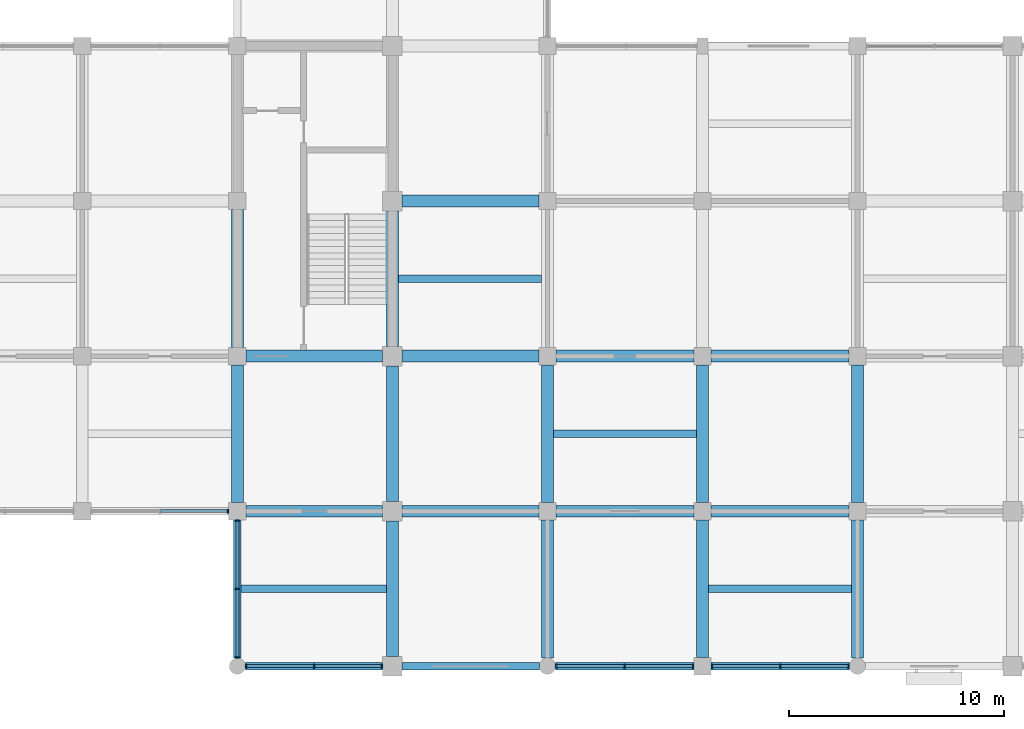
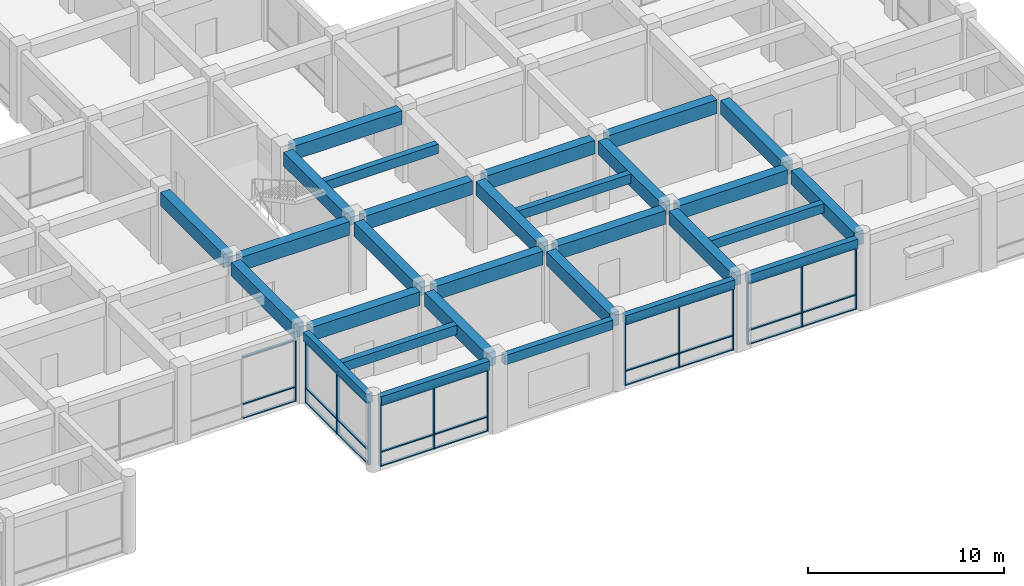
# One storey, part 30 of 75: 40 members, 29 beams, 5 elements without a shape of their own.
"""IFC4 building model written with IfcOpenShell, lengths in metres."""

from ifc_helpers import new_model, si_unit, direction, frame, origin, origin_2d, place, context, subcontext, project, spatial, rectangle, extrude, material, layer, layer_set, material_profile, profile_set, type_object, element, aggregate, save


model = new_model("IFC4")

# Units and contexts
model_context = context("Model", 3, precision=1e-05, world=origin(), true_north=direction((0.0, 1.0)))
body_context = subcontext(model_context, "Body", "Model", "MODEL_VIEW")
ifc_project = project(units=[si_unit("LENGTHUNIT", "METRE"), si_unit("AREAUNIT", "SQUARE_METRE"), si_unit("VOLUMEUNIT", "CUBIC_METRE"), si_unit("PLANEANGLEUNIT", "RADIAN"), si_unit("MASSUNIT", "GRAM", prefix="KILO")], contexts=[model_context])

# Site, building, storey
site_placement = place(None, origin())
site = spatial("IfcSite", under=ifc_project, at=site_placement, CompositionType="ELEMENT")
building_placement = place(site_placement, origin())
building = spatial("IfcBuilding", under=site, at=building_placement, Name="Cendaluz Park School", CompositionType="ELEMENT")
storey_placement = place(building_placement, frame((0.0, 0.0, 4.800048828125)))
storey = spatial("IfcBuildingStorey", under=building, at=storey_placement, Name="L01", CompositionType="ELEMENT", Elevation=4.800048828125)

# Beams
ifc_material_1 = material(Name="Concrete C40/50", Category="concrete")
ifc_material_profile_1 = material_profile(ifc_material_1, rectangle(XDim=0.550048828125, YDim=0.85009765625, at=origin_2d()), Name="RC 550x850", Category="concrete")
ifc_profile_set_1 = profile_set([ifc_material_profile_1], Name="Concrete C40/50")
beam_type_1 = type_object("IfcBeamType", Name="BM-RC01", PredefinedType="BEAM", material=ifc_profile_set_1)
for number, where, z_axis, x_axis, name in (
    (1, (130.0, 7.199951171875, 4.0048828125), (1.0, 0.0, 0.0), (0.0, 1.0, 0.0), "BM-L01-BMRC01-0158"),
    (2, (130.0, 14.39990234375, 4.0048828125), (1.0, 0.0, 0.0), (0.0, 1.0, 0.0), "BM-L01-BMRC01-0159"),
    (3, (137.25, 7.199951171875, 4.0048828125), (1.0, 0.0, 0.0), (0.0, 1.0, 0.0), "BM-L01-BMRC01-0174"),
    (4, (137.25, 14.39990234375, 4.0048828125), (1.0, 0.0, 0.0), (0.0, 1.0, 0.0), "BM-L01-BMRC01-0175"),
    (5, (137.25, 21.60009765625, 4.0048828125), (1.0, 0.0, 0.0), (0.0, 1.0, 0.0), "BM-L01-BMRC01-0176"),
):
    element("IfcBeam", number, at=place(storey_placement, frame(where, z_axis=z_axis, x_axis=x_axis)), inside=storey, type_object=beam_type_1, Name=name, PredefinedType="BEAM", context=body_context, shape_type="SweptSolid", body=[
        extrude(rectangle(XDim=0.550048828125, YDim=0.85009765625, at=origin_2d()), origin(), (0.0, 0.0, 1.0), 6.35009765625),
    ])
for number, where, z_axis, x_axis, name in (
    (6, (144.39990234375, 7.199951171875, 4.0048828125), (1.0, 0.0, 0.0), (0.0, 1.0, 0.0), "BM-L01-BMRC01-0185"),
    (7, (144.39990234375, 14.39990234375, 4.0048828125), (1.0, 0.0, 0.0), (0.0, 1.0, 0.0), "BM-L01-BMRC01-0186"),
):
    element("IfcBeam", number, at=place(storey_placement, frame(where, z_axis=z_axis, x_axis=x_axis)), inside=storey, type_object=beam_type_1, Name=name, PredefinedType="BEAM", context=body_context, shape_type="SweptSolid", body=[
        extrude(rectangle(XDim=0.550048828125, YDim=0.85009765625, at=origin_2d()), origin(), (0.0, 0.0, 1.0), 6.400146484375),
    ])
for number, where, z_axis, x_axis, name in (
    (8, (151.60009765625, 7.199951171875, 4.0048828125), (1.0, 0.0, 0.0), (0.0, 1.0, 0.0), "BM-L01-BMRC01-0194"),
    (9, (151.60009765625, 14.39990234375, 4.0048828125), (1.0, 0.0, 0.0), (0.0, 1.0, 0.0), "BM-L01-BMRC01-0195"),
    (10, (129.60009765625, 7.60009765625, 4.0048828125), (0.0, 1.0, 0.0), (-1.0, 0.0, 0.0), "BM-L01-BMRC01-0388"),
    (11, (129.60009765625, 14.800048828125, 4.0048828125), (0.0, 1.0, 0.0), (-1.0, 0.0, 0.0), "BM-L01-BMRC01-0389"),
):
    element("IfcBeam", number, at=place(storey_placement, frame(where, z_axis=z_axis, x_axis=x_axis)), inside=storey, type_object=beam_type_1, Name=name, PredefinedType="BEAM", context=body_context, shape_type="SweptSolid", body=[
        extrude(rectangle(XDim=0.550048828125, YDim=0.85009765625, at=origin_2d()), origin(), (0.0, 0.0, 1.0), 6.39990234375),
    ])
for number, where, z_axis, x_axis, name in (
    (12, (136.800048828125, 0.449951171875, 4.0048828125), (0.0, 1.0, 0.0), (-1.0, 0.0, 0.0), "BM-L01-BMRC01-0403"),
    (13, (136.800048828125, 7.64990234375, 4.0048828125), (0.0, 1.0, 0.0), (-1.0, 0.0, 0.0), "BM-L01-BMRC01-0404"),
):
    element("IfcBeam", number, at=place(storey_placement, frame(where, z_axis=z_axis, x_axis=x_axis)), inside=storey, type_object=beam_type_1, Name=name, PredefinedType="BEAM", context=body_context, shape_type="SweptSolid", body=[
        extrude(rectangle(XDim=0.550048828125, YDim=0.85009765625, at=origin_2d()), origin(), (0.0, 0.0, 1.0), 6.300048828125),
    ])
beam_1_placement = place(storey_placement, frame((136.800048828125, 14.85009765625, 4.0048828125), z_axis=(0.0, 1.0, 0.0), x_axis=(-1.0, 0.0, 0.0)))
element("IfcBeam", 14, at=beam_1_placement, inside=storey, type_object=beam_type_1, Name="BM-L01-BMRC01-0405", PredefinedType="BEAM", context=body_context, shape_type="SweptSolid", body=[
    extrude(rectangle(XDim=0.550048828125, YDim=0.85009765625, at=origin_2d()), origin(), (0.0, 0.0, 1.0), 6.2998046875),
])
beam_2_placement = place(storey_placement, frame((144.0, 0.375, 4.0048828125), z_axis=(0.0, 1.0, 0.0), x_axis=(-1.0, 0.0, 0.0)))
element("IfcBeam", 15, at=beam_2_placement, inside=storey, type_object=beam_type_1, Name="BM-L01-BMRC01-0419", PredefinedType="BEAM", context=body_context, shape_type="SweptSolid", body=[
    extrude(rectangle(XDim=0.550048828125, YDim=0.85009765625, at=origin_2d()), origin(), (0.0, 0.0, 1.0), 6.425048828125),
])
beam_3_placement = place(storey_placement, frame((144.0, 7.60009765625, 4.0048828125), z_axis=(0.0, 1.0, 0.0), x_axis=(-1.0, 0.0, 0.0)))
element("IfcBeam", 16, at=beam_3_placement, inside=storey, type_object=beam_type_1, Name="BM-L01-BMRC01-0420", PredefinedType="BEAM", context=body_context, shape_type="SweptSolid", body=[
    extrude(rectangle(XDim=0.550048828125, YDim=0.85009765625, at=origin_2d()), origin(), (0.0, 0.0, 1.0), 6.39990234375),
])
beam_4_placement = place(storey_placement, frame((151.199951171875, 0.39990234375, 4.0048828125), z_axis=(0.0, 1.0, 0.0), x_axis=(-1.0, 0.0, 0.0)))
element("IfcBeam", 17, at=beam_4_placement, inside=storey, type_object=beam_type_1, Name="BM-L01-BMRC01-0429", PredefinedType="BEAM", context=body_context, shape_type="SweptSolid", body=[
    extrude(rectangle(XDim=0.550048828125, YDim=0.85009765625, at=origin_2d()), origin(), (0.0, 0.0, 1.0), 6.400146484375),
])
beam_5_placement = place(storey_placement, frame((151.199951171875, 7.60009765625, 4.0048828125), z_axis=(0.0, 1.0, 0.0), x_axis=(-1.0, 0.0, 0.0)))
element("IfcBeam", 18, at=beam_5_placement, inside=storey, type_object=beam_type_1, Name="BM-L01-BMRC01-0430", PredefinedType="BEAM", context=body_context, shape_type="SweptSolid", body=[
    extrude(rectangle(XDim=0.550048828125, YDim=0.85009765625, at=origin_2d()), origin(), (0.0, 0.0, 1.0), 6.39990234375),
])
beam_6_placement = place(storey_placement, frame((158.39990234375, 0.375, 4.0048828125), z_axis=(0.0, 1.0, 0.0), x_axis=(-1.0, 0.0, 0.0)))
element("IfcBeam", 19, at=beam_6_placement, inside=storey, type_object=beam_type_1, Name="BM-L01-BMRC01-0435", PredefinedType="BEAM", context=body_context, shape_type="SweptSolid", body=[
    extrude(rectangle(XDim=0.550048828125, YDim=0.85009765625, at=origin_2d()), origin(), (0.0, 0.0, 1.0), 6.425048828125),
])
beam_7_placement = place(storey_placement, frame((158.39990234375, 7.60009765625, 4.0048828125), z_axis=(0.0, 1.0, 0.0), x_axis=(-1.0, 0.0, 0.0)))
element("IfcBeam", 20, at=beam_7_placement, inside=storey, type_object=beam_type_1, Name="BM-L01-BMRC01-0436", PredefinedType="BEAM", context=body_context, shape_type="SweptSolid", body=[
    extrude(rectangle(XDim=0.550048828125, YDim=0.85009765625, at=origin_2d()), origin(), (0.0, 0.0, 1.0), 6.39990234375),
])
ifc_material_profile_2 = material_profile(ifc_material_1, rectangle(XDim=0.35009765625, YDim=0.580078125, at=origin_2d()), Name="RC 350x580", Category="concrete")
ifc_profile_set_2 = profile_set([ifc_material_profile_2], Name="Concrete C40/50")
beam_type_2 = type_object("IfcBeamType", Name="BM-RC04", PredefinedType="LINTEL", material=ifc_profile_set_2)
for number, where, z_axis, x_axis, name in (
    (21, (129.97509765625, 0.0, 4.139892578125), (1.0, 0.0, 0.0), (0.0, 1.0, 0.0), "BM-L01-BMRC04-0157"),
    (22, (137.25, 0.0, 4.139892578125), (1.0, 0.0, 0.0), (0.0, 1.0, 0.0), "BM-L01-BMRC04-0173"),
):
    element("IfcBeam", number, at=place(storey_placement, frame(where, z_axis=z_axis, x_axis=x_axis)), inside=storey, type_object=beam_type_2, Name=name, PredefinedType="LINTEL", context=body_context, shape_type="SweptSolid", body=[
        extrude(rectangle(XDim=0.35009765625, YDim=0.580078125, at=origin_2d()), origin(), (0.0, 0.0, 1.0), 6.375),
    ])
beam_8_placement = place(storey_placement, frame((144.375, 0.0, 4.139892578125), z_axis=(1.0, 0.0, 0.0), x_axis=(0.0, 1.0, 0.0)))
element("IfcBeam", 23, at=beam_8_placement, inside=storey, type_object=beam_type_2, Name="BM-L01-BMRC04-0184", PredefinedType="LINTEL", context=body_context, shape_type="SweptSolid", body=[
    extrude(rectangle(XDim=0.35009765625, YDim=0.580078125, at=origin_2d()), origin(), (0.0, 0.0, 1.0), 6.425048828125),
])
beam_9_placement = place(storey_placement, frame((151.60009765625, 0.0, 4.139892578125), z_axis=(1.0, 0.0, 0.0), x_axis=(0.0, 1.0, 0.0)))
element("IfcBeam", 24, at=beam_9_placement, inside=storey, type_object=beam_type_2, Name="BM-L01-BMRC04-0193", PredefinedType="LINTEL", context=body_context, shape_type="SweptSolid", body=[
    extrude(rectangle(XDim=0.35009765625, YDim=0.580078125, at=origin_2d()), origin(), (0.0, 0.0, 1.0), 6.4248046875),
])
beam_10_placement = place(storey_placement, frame((129.60009765625, 0.375, 4.139892578125), z_axis=(0.0, 1.0, 0.0), x_axis=(-1.0, 0.0, 0.0)))
element("IfcBeam", 25, at=beam_10_placement, inside=storey, type_object=beam_type_2, Name="BM-L01-BMRC04-0387", PredefinedType="LINTEL", context=body_context, shape_type="SweptSolid", body=[
    extrude(rectangle(XDim=0.35009765625, YDim=0.580078125, at=origin_2d()), origin(), (0.0, 0.0, 1.0), 6.425048828125),
])

# Curtain wall, member
ifc_material_2 = material(Name="Anodised Aluminium 6063-T6", Category="aluminium")
ifc_layer = layer(ifc_material_2, 0.179931640625)
ifc_layer_set = layer_set([ifc_layer], Name="Anodised Aluminium 6063-T6")
curtain_wall_type = type_object("IfcCurtainWallType", Name="CW-128x77", PredefinedType="NOTDEFINED", material=ifc_layer_set)
curtain_wall_1_placement = place(storey_placement, origin())
curtain_wall_1 = element("IfcCurtainWall", 26, at=curtain_wall_1_placement, inside=storey, type_object=curtain_wall_type, Name="CW-L01-056", PredefinedType="NOTDEFINED")
ifc_material_profile_3 = material_profile(ifc_material_2, rectangle(XDim=0.179931640625, YDim=0.070068359375, at=origin_2d()), Name="CWM 180x70", Category="aluminium")
ifc_profile_set_3 = profile_set([ifc_material_profile_3], Name="Anodised Aluminium 6063-T6")
member_type_1 = type_object("IfcMemberType", Name="CWM-01", PredefinedType="MULLION", material=ifc_profile_set_3)
member_1_placement = place(storey_placement, frame((129.1650390625, 7.199951171875, 0.0), z_axis=(0.0, 0.0, 1.0), x_axis=(0.0, 1.0, 0.0)))
member_1 = element("IfcMember", 27, at=member_1_placement, type_object=member_type_1, Name="CP-L01-0718", PredefinedType="MULLION", context=body_context, shape_type="SweptSolid", body=[
    extrude(rectangle(XDim=0.179931640625, YDim=0.070068359375, at=origin_2d()), origin(), (0.0, 0.0, 1.0), 3.849853515625),
])

# Curtain wall, members
curtain_wall_2_placement = place(storey_placement, origin())
curtain_wall_2 = element("IfcCurtainWall", 28, at=curtain_wall_2_placement, inside=storey, type_object=curtain_wall_type, Name="CW-L01-058", PredefinedType="NOTDEFINED")
member_2_placement = place(storey_placement, frame((130.010009765625, 0.0, 0.0), z_axis=(0.0, 0.0, 1.0), x_axis=(0.0, 1.0, 0.0)))
member_2 = element("IfcMember", 29, at=member_2_placement, type_object=member_type_1, Name="CP-L01-0742", PredefinedType="MULLION", context=body_context, shape_type="SweptSolid", body=[
    extrude(rectangle(XDim=0.179931640625, YDim=0.070068359375, at=origin_2d()), origin(), (0.0, 0.0, 1.0), 3.849853515625),
])
member_3_placement = place(storey_placement, frame((133.16259765625, 0.0, 0.0), z_axis=(0.0, 0.0, 1.0), x_axis=(0.0, 1.0, 0.0)))
member_3 = element("IfcMember", 30, at=member_3_placement, type_object=member_type_1, Name="CP-L01-0743", PredefinedType="MULLION", context=body_context, shape_type="SweptSolid", body=[
    extrude(rectangle(XDim=0.179931640625, YDim=0.070068359375, at=origin_2d()), origin(), (0.0, 0.0, 1.0), 3.849853515625),
])
member_4_placement = place(storey_placement, frame((136.31494140625, 0.0, 0.0), z_axis=(0.0, 0.0, 1.0), x_axis=(0.0, 1.0, 0.0)))
member_4 = element("IfcMember", 31, at=member_4_placement, type_object=member_type_1, Name="CP-L01-0744", PredefinedType="MULLION", context=body_context, shape_type="SweptSolid", body=[
    extrude(rectangle(XDim=0.179931640625, YDim=0.070068359375, at=origin_2d()), origin(), (0.0, 0.0, 1.0), 3.849853515625),
])

curtain_wall_3_placement = place(storey_placement, origin())
curtain_wall_3 = element("IfcCurtainWall", 32, at=curtain_wall_3_placement, inside=storey, type_object=curtain_wall_type, Name="CW-L01-059", PredefinedType="NOTDEFINED")
member_5_placement = place(storey_placement, frame((129.60009765625, 0.409912109375, 0.0), z_axis=(0.0, 0.0, 1.0), x_axis=(-1.0, 0.0, 0.0)))
member_5 = element("IfcMember", 33, at=member_5_placement, type_object=member_type_1, Name="CP-L01-0755", PredefinedType="MULLION", context=body_context, shape_type="SweptSolid", body=[
    extrude(rectangle(XDim=0.179931640625, YDim=0.070068359375, at=origin_2d()), origin(), (0.0, 0.0, 1.0), 3.849853515625),
])
member_6_placement = place(storey_placement, frame((129.60009765625, 3.58740234375, 0.0), z_axis=(0.0, 0.0, 1.0), x_axis=(-1.0, 0.0, 0.0)))
member_6 = element("IfcMember", 34, at=member_6_placement, type_object=member_type_1, Name="CP-L01-0756", PredefinedType="MULLION", context=body_context, shape_type="SweptSolid", body=[
    extrude(rectangle(XDim=0.179931640625, YDim=0.070068359375, at=origin_2d()), origin(), (0.0, 0.0, 1.0), 3.849853515625),
])
member_7_placement = place(storey_placement, frame((129.60009765625, 6.764892578125, 0.0), z_axis=(0.0, 0.0, 1.0), x_axis=(-1.0, 0.0, 0.0)))
member_7 = element("IfcMember", 35, at=member_7_placement, type_object=member_type_1, Name="CP-L01-0757", PredefinedType="MULLION", context=body_context, shape_type="SweptSolid", body=[
    extrude(rectangle(XDim=0.179931640625, YDim=0.070068359375, at=origin_2d()), origin(), (0.0, 0.0, 1.0), 3.849853515625),
])

curtain_wall_4_placement = place(storey_placement, origin())
curtain_wall_4 = element("IfcCurtainWall", 36, at=curtain_wall_4_placement, inside=storey, type_object=curtain_wall_type, Name="CW-L01-070", PredefinedType="NOTDEFINED")
member_8_placement = place(storey_placement, frame((144.409912109375, 0.0, 0.0), z_axis=(0.0, 0.0, 1.0), x_axis=(0.0, 1.0, 0.0)))
member_8 = element("IfcMember", 37, at=member_8_placement, type_object=member_type_1, Name="CP-L01-0898", PredefinedType="MULLION", context=body_context, shape_type="SweptSolid", body=[
    extrude(rectangle(XDim=0.179931640625, YDim=0.070068359375, at=origin_2d()), origin(), (0.0, 0.0, 1.0), 3.849853515625),
])
member_9_placement = place(storey_placement, frame((147.58740234375, 0.0, 0.0), z_axis=(0.0, 0.0, 1.0), x_axis=(0.0, 1.0, 0.0)))
member_9 = element("IfcMember", 38, at=member_9_placement, type_object=member_type_1, Name="CP-L01-0899", PredefinedType="MULLION", context=body_context, shape_type="SweptSolid", body=[
    extrude(rectangle(XDim=0.179931640625, YDim=0.070068359375, at=origin_2d()), origin(), (0.0, 0.0, 1.0), 3.849853515625),
])
member_10_placement = place(storey_placement, frame((150.764892578125, 0.0, 0.0), z_axis=(0.0, 0.0, 1.0), x_axis=(0.0, 1.0, 0.0)))
member_10 = element("IfcMember", 39, at=member_10_placement, type_object=member_type_1, Name="CP-L01-0900", PredefinedType="MULLION", context=body_context, shape_type="SweptSolid", body=[
    extrude(rectangle(XDim=0.179931640625, YDim=0.070068359375, at=origin_2d()), origin(), (0.0, 0.0, 1.0), 3.849853515625),
])

curtain_wall_5_placement = place(storey_placement, origin())
curtain_wall_5 = element("IfcCurtainWall", 40, at=curtain_wall_5_placement, inside=storey, type_object=curtain_wall_type, Name="CW-L01-073", PredefinedType="NOTDEFINED")
member_11_placement = place(storey_placement, frame((151.635009765625, 0.0, 0.0), z_axis=(0.0, 0.0, 1.0), x_axis=(0.0, 1.0, 0.0)))
member_11 = element("IfcMember", 41, at=member_11_placement, type_object=member_type_1, Name="CP-L01-0937", PredefinedType="MULLION", context=body_context, shape_type="SweptSolid", body=[
    extrude(rectangle(XDim=0.179931640625, YDim=0.070068359375, at=origin_2d()), origin(), (0.0, 0.0, 1.0), 3.849853515625),
])
member_12_placement = place(storey_placement, frame((154.8125, 0.0, 0.0), z_axis=(0.0, 0.0, 1.0), x_axis=(0.0, 1.0, 0.0)))
member_12 = element("IfcMember", 42, at=member_12_placement, type_object=member_type_1, Name="CP-L01-0938", PredefinedType="MULLION", context=body_context, shape_type="SweptSolid", body=[
    extrude(rectangle(XDim=0.179931640625, YDim=0.070068359375, at=origin_2d()), origin(), (0.0, 0.0, 1.0), 3.849853515625),
])
member_13_placement = place(storey_placement, frame((157.989990234375, 0.0, 0.0), z_axis=(0.0, 0.0, 1.0), x_axis=(0.0, 1.0, 0.0)))
member_13 = element("IfcMember", 43, at=member_13_placement, type_object=member_type_1, Name="CP-L01-0939", PredefinedType="MULLION", context=body_context, shape_type="SweptSolid", body=[
    extrude(rectangle(XDim=0.179931640625, YDim=0.070068359375, at=origin_2d()), origin(), (0.0, 0.0, 1.0), 3.849853515625),
])

# Member
ifc_material_profile_4 = material_profile(ifc_material_2, rectangle(XDim=0.139892578125, YDim=0.070068359375, at=origin_2d()), Name="CWT 140x70", Category="aluminium")
ifc_profile_set_4 = profile_set([ifc_material_profile_4], Name="Anodised Aluminium 6063-T6")
member_type_2 = type_object("IfcMemberType", Name="CWT-01", PredefinedType="USERDEFINED", material=ifc_profile_set_4)
member_14_placement = place(storey_placement, frame((126.034912109375, 7.199951171875, 0.034912109375), z_axis=(1.0, 0.0, 0.0), x_axis=(0.0, 1.0, 0.0)))
member_14 = element("IfcMember", 44, at=member_14_placement, type_object=member_type_2, Name="CP-L01-0724", ObjectType="TRANSOM", PredefinedType="USERDEFINED", context=body_context, shape_type="SweptSolid", body=[
    extrude(rectangle(XDim=0.139892578125, YDim=0.070068359375, at=origin_2d()), origin(), (0.0, 0.0, 1.0), 3.094970703125),
])

member_15_placement = place(storey_placement, frame((126.034912109375, 7.199951171875, 0.89990234375), z_axis=(1.0, 0.0, 0.0), x_axis=(0.0, 1.0, 0.0)))
member_15 = element("IfcMember", 45, at=member_15_placement, type_object=member_type_2, Name="CP-L01-0725", ObjectType="TRANSOM", PredefinedType="USERDEFINED", context=body_context, shape_type="SweptSolid", body=[
    extrude(rectangle(XDim=0.139892578125, YDim=0.070068359375, at=origin_2d()), origin(), (0.0, 0.0, 1.0), 3.094970703125),
])

member_16_placement = place(storey_placement, frame((126.034912109375, 7.199951171875, 3.81494140625), z_axis=(1.0, 0.0, 0.0), x_axis=(0.0, 1.0, 0.0)))
member_16 = element("IfcMember", 46, at=member_16_placement, type_object=member_type_2, Name="CP-L01-0726", ObjectType="TRANSOM", PredefinedType="USERDEFINED", context=body_context, shape_type="SweptSolid", body=[
    extrude(rectangle(XDim=0.139892578125, YDim=0.070068359375, at=origin_2d()), origin(), (0.0, 0.0, 1.0), 3.094970703125),
])

aggregate(curtain_wall_1, [member_1, member_14, member_15, member_16])

member_17_placement = place(storey_placement, frame((130.044921875, 0.0, 0.034912109375), z_axis=(1.0, 0.0, 0.0), x_axis=(0.0, 1.0, 0.0)))
member_17 = element("IfcMember", 47, at=member_17_placement, type_object=member_type_2, Name="CP-L01-0745", ObjectType="TRANSOM", PredefinedType="USERDEFINED", context=body_context, shape_type="SweptSolid", body=[
    extrude(rectangle(XDim=0.139892578125, YDim=0.070068359375, at=origin_2d()), origin(), (0.0, 0.0, 1.0), 3.08251953125),
])

member_18_placement = place(storey_placement, frame((130.044921875, 0.0, 0.89990234375), z_axis=(1.0, 0.0, 0.0), x_axis=(0.0, 1.0, 0.0)))
member_18 = element("IfcMember", 48, at=member_18_placement, type_object=member_type_2, Name="CP-L01-0746", ObjectType="TRANSOM", PredefinedType="USERDEFINED", context=body_context, shape_type="SweptSolid", body=[
    extrude(rectangle(XDim=0.139892578125, YDim=0.070068359375, at=origin_2d()), origin(), (0.0, 0.0, 1.0), 3.08251953125),
])

member_19_placement = place(storey_placement, frame((130.044921875, 0.0, 3.81494140625), z_axis=(1.0, 0.0, 0.0), x_axis=(0.0, 1.0, 0.0)))
member_19 = element("IfcMember", 49, at=member_19_placement, type_object=member_type_2, Name="CP-L01-0747", ObjectType="TRANSOM", PredefinedType="USERDEFINED", context=body_context, shape_type="SweptSolid", body=[
    extrude(rectangle(XDim=0.139892578125, YDim=0.070068359375, at=origin_2d()), origin(), (0.0, 0.0, 1.0), 3.08251953125),
])

member_20_placement = place(storey_placement, frame((133.197509765625, 0.0, 0.034912109375), z_axis=(1.0, 0.0, 0.0), x_axis=(0.0, 1.0, 0.0)))
member_20 = element("IfcMember", 50, at=member_20_placement, type_object=member_type_2, Name="CP-L01-0750", ObjectType="TRANSOM", PredefinedType="USERDEFINED", context=body_context, shape_type="SweptSolid", body=[
    extrude(rectangle(XDim=0.139892578125, YDim=0.070068359375, at=origin_2d()), origin(), (0.0, 0.0, 1.0), 3.08251953125),
])

member_21_placement = place(storey_placement, frame((133.197509765625, 0.0, 0.89990234375), z_axis=(1.0, 0.0, 0.0), x_axis=(0.0, 1.0, 0.0)))
member_21 = element("IfcMember", 51, at=member_21_placement, type_object=member_type_2, Name="CP-L01-0751", ObjectType="TRANSOM", PredefinedType="USERDEFINED", context=body_context, shape_type="SweptSolid", body=[
    extrude(rectangle(XDim=0.139892578125, YDim=0.070068359375, at=origin_2d()), origin(), (0.0, 0.0, 1.0), 3.08251953125),
])

member_22_placement = place(storey_placement, frame((133.197509765625, 0.0, 3.81494140625), z_axis=(1.0, 0.0, 0.0), x_axis=(0.0, 1.0, 0.0)))
member_22 = element("IfcMember", 52, at=member_22_placement, type_object=member_type_2, Name="CP-L01-0752", ObjectType="TRANSOM", PredefinedType="USERDEFINED", context=body_context, shape_type="SweptSolid", body=[
    extrude(rectangle(XDim=0.139892578125, YDim=0.070068359375, at=origin_2d()), origin(), (0.0, 0.0, 1.0), 3.08251953125),
])

aggregate(curtain_wall_2, [member_2, member_3, member_4, member_17, member_18, member_19, member_20, member_21, member_22])

member_23_placement = place(storey_placement, frame((129.60009765625, 0.445068359375, 0.034912109375), z_axis=(0.0, 1.0, 0.0), x_axis=(-1.0, 0.0, 0.0)))
member_23 = element("IfcMember", 53, at=member_23_placement, type_object=member_type_2, Name="CP-L01-0758", ObjectType="TRANSOM", PredefinedType="USERDEFINED", context=body_context, shape_type="SweptSolid", body=[
    extrude(rectangle(XDim=0.139892578125, YDim=0.070068359375, at=origin_2d()), origin(), (0.0, 0.0, 1.0), 3.107421875),
])

member_24_placement = place(storey_placement, frame((129.60009765625, 0.445068359375, 0.89990234375), z_axis=(0.0, 1.0, 0.0), x_axis=(-1.0, 0.0, 0.0)))
member_24 = element("IfcMember", 54, at=member_24_placement, type_object=member_type_2, Name="CP-L01-0759", ObjectType="TRANSOM", PredefinedType="USERDEFINED", context=body_context, shape_type="SweptSolid", body=[
    extrude(rectangle(XDim=0.139892578125, YDim=0.070068359375, at=origin_2d()), origin(), (0.0, 0.0, 1.0), 3.107421875),
])

member_25_placement = place(storey_placement, frame((129.60009765625, 0.445068359375, 3.81494140625), z_axis=(0.0, 1.0, 0.0), x_axis=(-1.0, 0.0, 0.0)))
member_25 = element("IfcMember", 55, at=member_25_placement, type_object=member_type_2, Name="CP-L01-0760", ObjectType="TRANSOM", PredefinedType="USERDEFINED", context=body_context, shape_type="SweptSolid", body=[
    extrude(rectangle(XDim=0.139892578125, YDim=0.070068359375, at=origin_2d()), origin(), (0.0, 0.0, 1.0), 3.107421875),
])

member_26_placement = place(storey_placement, frame((129.60009765625, 3.62255859375, 0.034912109375), z_axis=(0.0, 1.0, 0.0), x_axis=(-1.0, 0.0, 0.0)))
member_26 = element("IfcMember", 56, at=member_26_placement, type_object=member_type_2, Name="CP-L01-0763", ObjectType="TRANSOM", PredefinedType="USERDEFINED", context=body_context, shape_type="SweptSolid", body=[
    extrude(rectangle(XDim=0.139892578125, YDim=0.070068359375, at=origin_2d()), origin(), (0.0, 0.0, 1.0), 3.107421875),
])

member_27_placement = place(storey_placement, frame((129.60009765625, 3.62255859375, 0.89990234375), z_axis=(0.0, 1.0, 0.0), x_axis=(-1.0, 0.0, 0.0)))
member_27 = element("IfcMember", 57, at=member_27_placement, type_object=member_type_2, Name="CP-L01-0764", ObjectType="TRANSOM", PredefinedType="USERDEFINED", context=body_context, shape_type="SweptSolid", body=[
    extrude(rectangle(XDim=0.139892578125, YDim=0.070068359375, at=origin_2d()), origin(), (0.0, 0.0, 1.0), 3.107421875),
])

member_28_placement = place(storey_placement, frame((129.60009765625, 3.62255859375, 3.81494140625), z_axis=(0.0, 1.0, 0.0), x_axis=(-1.0, 0.0, 0.0)))
member_28 = element("IfcMember", 58, at=member_28_placement, type_object=member_type_2, Name="CP-L01-0765", ObjectType="TRANSOM", PredefinedType="USERDEFINED", context=body_context, shape_type="SweptSolid", body=[
    extrude(rectangle(XDim=0.139892578125, YDim=0.070068359375, at=origin_2d()), origin(), (0.0, 0.0, 1.0), 3.107421875),
])

aggregate(curtain_wall_3, [member_5, member_6, member_7, member_23, member_24, member_25, member_26, member_27, member_28])

member_29_placement = place(storey_placement, frame((144.445068359375, 0.0, 0.034912109375), z_axis=(1.0, 0.0, 0.0), x_axis=(0.0, 1.0, 0.0)))
member_29 = element("IfcMember", 59, at=member_29_placement, type_object=member_type_2, Name="CP-L01-0901", ObjectType="TRANSOM", PredefinedType="USERDEFINED", context=body_context, shape_type="SweptSolid", body=[
    extrude(rectangle(XDim=0.139892578125, YDim=0.070068359375, at=origin_2d()), origin(), (0.0, 0.0, 1.0), 3.107421875),
])

member_30_placement = place(storey_placement, frame((144.445068359375, 0.0, 0.89990234375), z_axis=(1.0, 0.0, 0.0), x_axis=(0.0, 1.0, 0.0)))
member_30 = element("IfcMember", 60, at=member_30_placement, type_object=member_type_2, Name="CP-L01-0902", ObjectType="TRANSOM", PredefinedType="USERDEFINED", context=body_context, shape_type="SweptSolid", body=[
    extrude(rectangle(XDim=0.139892578125, YDim=0.070068359375, at=origin_2d()), origin(), (0.0, 0.0, 1.0), 3.107421875),
])

member_31_placement = place(storey_placement, frame((144.445068359375, 0.0, 3.81494140625), z_axis=(1.0, 0.0, 0.0), x_axis=(0.0, 1.0, 0.0)))
member_31 = element("IfcMember", 61, at=member_31_placement, type_object=member_type_2, Name="CP-L01-0903", ObjectType="TRANSOM", PredefinedType="USERDEFINED", context=body_context, shape_type="SweptSolid", body=[
    extrude(rectangle(XDim=0.139892578125, YDim=0.070068359375, at=origin_2d()), origin(), (0.0, 0.0, 1.0), 3.107421875),
])

member_32_placement = place(storey_placement, frame((147.62255859375, 0.0, 0.034912109375), z_axis=(1.0, 0.0, 0.0), x_axis=(0.0, 1.0, 0.0)))
member_32 = element("IfcMember", 62, at=member_32_placement, type_object=member_type_2, Name="CP-L01-0906", ObjectType="TRANSOM", PredefinedType="USERDEFINED", context=body_context, shape_type="SweptSolid", body=[
    extrude(rectangle(XDim=0.139892578125, YDim=0.070068359375, at=origin_2d()), origin(), (0.0, 0.0, 1.0), 3.107421875),
])

member_33_placement = place(storey_placement, frame((147.62255859375, 0.0, 0.89990234375), z_axis=(1.0, 0.0, 0.0), x_axis=(0.0, 1.0, 0.0)))
member_33 = element("IfcMember", 63, at=member_33_placement, type_object=member_type_2, Name="CP-L01-0907", ObjectType="TRANSOM", PredefinedType="USERDEFINED", context=body_context, shape_type="SweptSolid", body=[
    extrude(rectangle(XDim=0.139892578125, YDim=0.070068359375, at=origin_2d()), origin(), (0.0, 0.0, 1.0), 3.107421875),
])

member_34_placement = place(storey_placement, frame((147.62255859375, 0.0, 3.81494140625), z_axis=(1.0, 0.0, 0.0), x_axis=(0.0, 1.0, 0.0)))
member_34 = element("IfcMember", 64, at=member_34_placement, type_object=member_type_2, Name="CP-L01-0908", ObjectType="TRANSOM", PredefinedType="USERDEFINED", context=body_context, shape_type="SweptSolid", body=[
    extrude(rectangle(XDim=0.139892578125, YDim=0.070068359375, at=origin_2d()), origin(), (0.0, 0.0, 1.0), 3.107421875),
])

aggregate(curtain_wall_4, [member_8, member_9, member_10, member_29, member_30, member_31, member_32, member_33, member_34])

member_35_placement = place(storey_placement, frame((151.669921875, 0.0, 0.034912109375), z_axis=(1.0, 0.0, 0.0), x_axis=(0.0, 1.0, 0.0)))
member_35 = element("IfcMember", 65, at=member_35_placement, type_object=member_type_2, Name="CP-L01-0940", ObjectType="TRANSOM", PredefinedType="USERDEFINED", context=body_context, shape_type="SweptSolid", body=[
    extrude(rectangle(XDim=0.139892578125, YDim=0.070068359375, at=origin_2d()), origin(), (0.0, 0.0, 1.0), 3.107666015625),
])

member_36_placement = place(storey_placement, frame((151.669921875, 0.0, 0.89990234375), z_axis=(1.0, 0.0, 0.0), x_axis=(0.0, 1.0, 0.0)))
member_36 = element("IfcMember", 66, at=member_36_placement, type_object=member_type_2, Name="CP-L01-0941", ObjectType="TRANSOM", PredefinedType="USERDEFINED", context=body_context, shape_type="SweptSolid", body=[
    extrude(rectangle(XDim=0.139892578125, YDim=0.070068359375, at=origin_2d()), origin(), (0.0, 0.0, 1.0), 3.107666015625),
])

member_37_placement = place(storey_placement, frame((151.669921875, 0.0, 3.81494140625), z_axis=(1.0, 0.0, 0.0), x_axis=(0.0, 1.0, 0.0)))
member_37 = element("IfcMember", 67, at=member_37_placement, type_object=member_type_2, Name="CP-L01-0942", ObjectType="TRANSOM", PredefinedType="USERDEFINED", context=body_context, shape_type="SweptSolid", body=[
    extrude(rectangle(XDim=0.139892578125, YDim=0.070068359375, at=origin_2d()), origin(), (0.0, 0.0, 1.0), 3.107666015625),
])

member_38_placement = place(storey_placement, frame((154.847412109375, 0.0, 0.034912109375), z_axis=(1.0, 0.0, 0.0), x_axis=(0.0, 1.0, 0.0)))
member_38 = element("IfcMember", 68, at=member_38_placement, type_object=member_type_2, Name="CP-L01-0945", ObjectType="TRANSOM", PredefinedType="USERDEFINED", context=body_context, shape_type="SweptSolid", body=[
    extrude(rectangle(XDim=0.139892578125, YDim=0.070068359375, at=origin_2d()), origin(), (0.0, 0.0, 1.0), 3.107666015625),
])

member_39_placement = place(storey_placement, frame((154.847412109375, 0.0, 0.89990234375), z_axis=(1.0, 0.0, 0.0), x_axis=(0.0, 1.0, 0.0)))
member_39 = element("IfcMember", 69, at=member_39_placement, type_object=member_type_2, Name="CP-L01-0946", ObjectType="TRANSOM", PredefinedType="USERDEFINED", context=body_context, shape_type="SweptSolid", body=[
    extrude(rectangle(XDim=0.139892578125, YDim=0.070068359375, at=origin_2d()), origin(), (0.0, 0.0, 1.0), 3.107666015625),
])

member_40_placement = place(storey_placement, frame((154.847412109375, 0.0, 3.81494140625), z_axis=(1.0, 0.0, 0.0), x_axis=(0.0, 1.0, 0.0)))
member_40 = element("IfcMember", 70, at=member_40_placement, type_object=member_type_2, Name="CP-L01-0947", ObjectType="TRANSOM", PredefinedType="USERDEFINED", context=body_context, shape_type="SweptSolid", body=[
    extrude(rectangle(XDim=0.139892578125, YDim=0.070068359375, at=origin_2d()), origin(), (0.0, 0.0, 1.0), 3.107666015625),
])

aggregate(curtain_wall_5, [member_11, member_12, member_13, member_35, member_36, member_37, member_38, member_39, member_40])

# Beams
ifc_material_profile_5 = material_profile(ifc_material_1, rectangle(XDim=0.35009765625, YDim=0.580078125, at=origin_2d()), Name="RC 350x580", Category="concrete")
ifc_profile_set_5 = profile_set([ifc_material_profile_5], Name="Concrete C40/50")
beam_type_3 = type_object("IfcBeamType", Name="JT-RC01", PredefinedType="JOIST", material=ifc_profile_set_5)
beam_11_placement = place(storey_placement, frame((129.77490234375, 3.60009765625, 4.139892578125), z_axis=(1.0, 0.0, 0.0), x_axis=(0.0, 1.0, 0.0)))
element("IfcBeam", 71, at=beam_11_placement, inside=storey, type_object=beam_type_3, Name="BM-L01-JTRC01-0508", PredefinedType="JOIST", context=body_context, shape_type="SweptSolid", body=[
    extrude(rectangle(XDim=0.35009765625, YDim=0.580078125, at=origin_2d()), origin(), (0.0, 0.0, 1.0), 6.75),
])
for number, where, z_axis, x_axis, name in (
    (72, (137.074951171875, 18.0, 4.139892578125), (1.0, 0.0, 0.0), (0.0, 1.0, 0.0), "BM-L01-JTRC01-0513"),
    (73, (144.27490234375, 10.800048828125, 4.139892578125), (1.0, 0.0, 0.0), (0.0, 1.0, 0.0), "BM-L01-JTRC01-0516"),
):
    element("IfcBeam", number, at=place(storey_placement, frame(where, z_axis=z_axis, x_axis=x_axis)), inside=storey, type_object=beam_type_3, Name=name, PredefinedType="JOIST", context=body_context, shape_type="SweptSolid", body=[
        extrude(rectangle(XDim=0.35009765625, YDim=0.580078125, at=origin_2d()), origin(), (0.0, 0.0, 1.0), 6.650146484375),
    ])
beam_12_placement = place(storey_placement, frame((151.47509765625, 3.60009765625, 4.139892578125), z_axis=(1.0, 0.0, 0.0), x_axis=(0.0, 1.0, 0.0)))
element("IfcBeam", 74, at=beam_12_placement, inside=storey, type_object=beam_type_3, Name="BM-L01-JTRC01-0517", PredefinedType="JOIST", context=body_context, shape_type="SweptSolid", body=[
    extrude(rectangle(XDim=0.35009765625, YDim=0.580078125, at=origin_2d()), origin(), (0.0, 0.0, 1.0), 6.64990234375),
])

save(model, "model.ifc")
